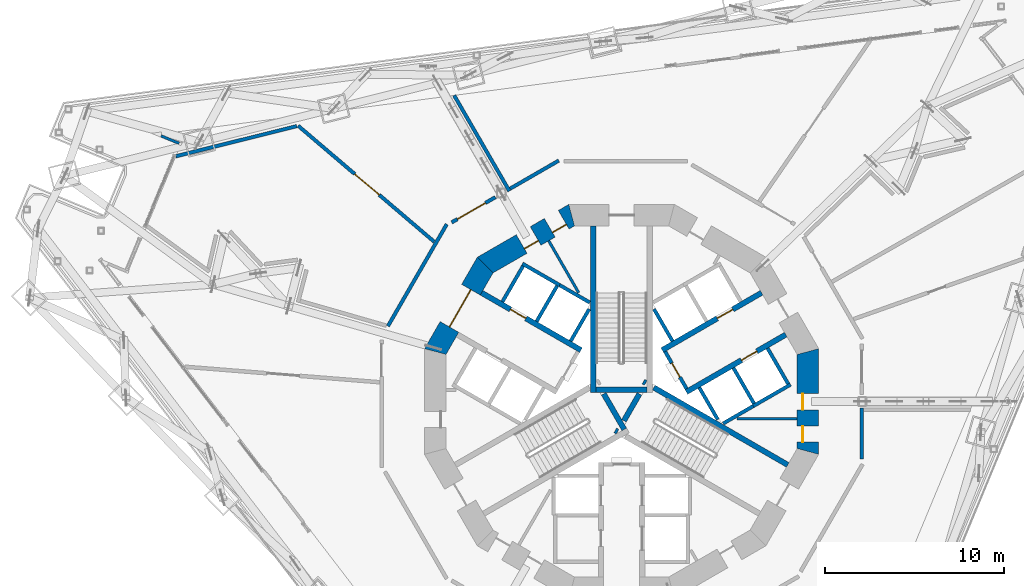
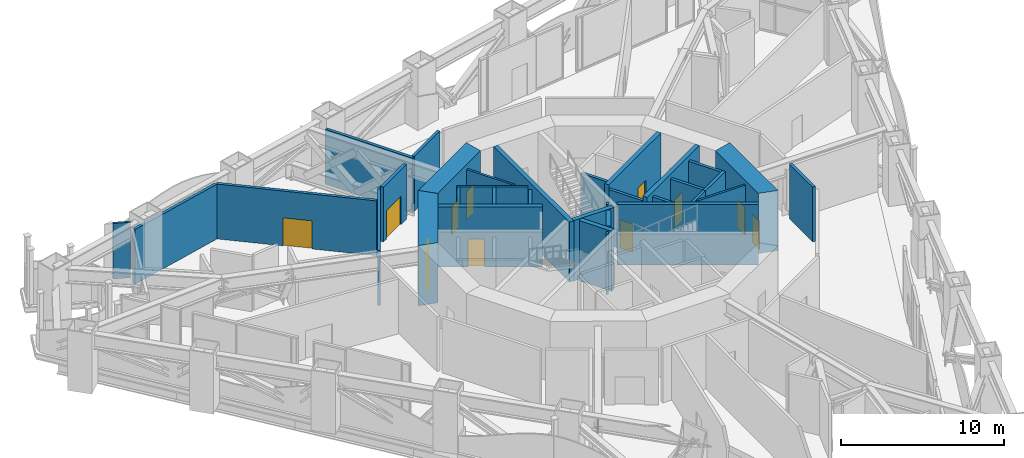
# One storey, part 19 of 31: 35 walls, 11 doors, 11 openings.
"""IFC4 building model written with IfcOpenShell, lengths in metres."""

from ifc_helpers import new_model, si_unit, direction, frame, frame_2d, origin, place, context, subcontext, project, spatial, polyline, rectangle, outline, extrude, material, layer, layer_set, type_object, element, fill, save


model = new_model("IFC4")

# Units and contexts
model_context = context("Model", 3, precision=1e-05, world=origin(), true_north=direction((0.0, 1.0)))
body_context = subcontext(model_context, "Body", "Model", "MODEL_VIEW")
ifc_project = project(units=[si_unit("LENGTHUNIT", "METRE"), si_unit("AREAUNIT", "SQUARE_METRE"), si_unit("VOLUMEUNIT", "CUBIC_METRE"), si_unit("PLANEANGLEUNIT", "RADIAN"), si_unit("MASSUNIT", "GRAM", prefix="KILO")], contexts=[model_context])

# Site, building, storey
site_placement = place(None, origin())
site = spatial("IfcSite", under=ifc_project, at=site_placement, CompositionType="ELEMENT")
building_placement = place(site_placement, origin())
building = spatial("IfcBuilding", under=site, at=building_placement, Name="Trine Commons Tower", CompositionType="ELEMENT")
storey_placement = place(building_placement, frame((0.0, 0.0, 82.800048828125)))
storey = spatial("IfcBuildingStorey", under=building, at=storey_placement, Name="L20", CompositionType="ELEMENT", Elevation=82.800048828125)

# Walls
ifc_material_1 = material(Name="Plasterboard partition on steel studs", Category="steel")
ifc_layer_1 = layer(ifc_material_1, 0.14990234375)
ifc_layer_set_1 = layer_set([ifc_layer_1], Name="Plasterboard partition on steel studs")
wall_type_1 = type_object("IfcWallType", Name="Core room partition 150 mm, EI 60", PredefinedType="PARTITIONING", material=ifc_layer_set_1)
wall_1_placement = place(storey_placement, frame((75.928955078125, 71.47900390625, 0.0), z_axis=(0.0, 0.0, 1.0), x_axis=(0.499985139611, -0.866033983264, 0.0)))
element("IfcWall", 1, at=wall_1_placement, inside=storey, type_object=wall_type_1, Name="Core room partition L20", PredefinedType="PARTITIONING", context=body_context, shape_type="SweptSolid", body=[
    extrude(rectangle(XDim=3.35205078125, YDim=0.14990234375, at=frame_2d((1.676025390625, 0.0))), origin(), (0.0, 0.0, 1.0), 4.14990234375),
])
wall_2_placement = place(storey_placement, frame((89.81201171875, 61.537109375, 0.0), z_axis=(0.0, 0.0, 1.0), x_axis=(-1.0, 0.0, 0.0)))
element("IfcWall", 2, at=wall_2_placement, inside=storey, type_object=wall_type_1, Name="Core room partition L20", PredefinedType="PARTITIONING", context=body_context, shape_type="SweptSolid", body=[
    extrude(rectangle(XDim=3.35107421875, YDim=0.14990234375, at=frame_2d((1.675537109375, 0.0))), origin(), (0.0, 0.0, 1.0), 4.14990234375),
])
ifc_material_2 = material(Name="Plasterboard on steel stud", Category="steel")
ifc_layer_2 = layer(ifc_material_2, 0.199951171875)
ifc_layer_set_2 = layer_set([ifc_layer_2], Name="Plasterboard on steel stud")
wall_type_2 = type_object("IfcWallType", Name="Fire wall 200 mm, EI 120", PredefinedType="PARTITIONING", material=ifc_layer_set_2)
wall_3_placement = place(storey_placement, frame((55.095947265625, 76.200927734375, 0.0), z_axis=(0.0, 0.0, 1.0), x_axis=(0.970294973208, 0.241924915969, 0.0)))
element("IfcWall", 3, at=wall_3_placement, inside=storey, type_object=wall_type_2, Name="Partition M20002", PredefinedType="PARTITIONING", context=body_context, shape_type="SweptSolid", body=[
    extrude(rectangle(XDim=6.961181640625, YDim=0.199951171875, at=frame_2d((3.48046875, 0.0))), origin(), (0.0, 0.0, 1.0), 4.099853515625),
])

# Wall, opening, door
wall_4_placement = place(storey_placement, frame((61.93017578125, 77.905029296875, 0.0), z_axis=(0.0, 0.0, 1.0), x_axis=(0.760989766885, -0.648763882083, 0.0)))
wall_4 = element("IfcWall", 4, at=wall_4_placement, inside=storey, type_object=wall_type_2, Name="Partition M20007", PredefinedType="PARTITIONING", context=body_context, shape_type="SweptSolid", body=[
    extrude(rectangle(XDim=9.987548828125, YDim=0.199951171875, at=frame_2d((4.99365234375, 0.0))), origin(), (0.0, 0.0, 1.0), 4.099853515625),
])
opening_1_placement = place(wall_4_placement, frame((4.153564453125, 0.0, 0.0)))
opening_1 = element("IfcOpeningElement", 5, at=opening_1_placement, cuts=wall_4, Name="Opening D-M2002", PredefinedType="OPENING", context=body_context, shape_type="SweptSolid", body=[
    extrude(rectangle(XDim=1.800048828125, YDim=2.10009765625, at=frame_2d((0.89990234375, 1.050048828125))), frame((0.0, 0.10986328125, 0.0), z_axis=(0.0, -1.0, 0.0), x_axis=(1.0, 0.0, 0.0)), (0.0, 0.0, 1.0), 0.219970703125),
])
ifc_material_3 = material(Name="Timber fire door set", Category="wood")
door_type_1 = type_object("IfcDoorType", Name="Double swing door 1800x2100, FD60", OperationType="DOUBLE_DOOR_DOUBLE_SWING", PredefinedType="DOOR", material=ifc_material_3)
door_1_placement = place(opening_1_placement, origin())
door_1 = element("IfcDoor", 6, at=door_1_placement, inside=storey, type_object=door_type_1, Name="Door D-M2002", OperationType="DOUBLE_DOOR_DOUBLE_SWING", OverallHeight=2.10009765625, OverallWidth=1.800048828125, PredefinedType="DOOR", context=body_context, shape_type="SweptSolid", body=[
    extrude(rectangle(XDim=1.800048828125, YDim=2.10009765625, at=frame_2d((0.89990234375, 1.050048828125))), frame((0.0, 0.02490234375, 0.0), z_axis=(0.0, -1.0, 0.0), x_axis=(1.0, 0.0, 0.0)), (0.0, 0.0, 1.0), 0.050048828125),
])
fill(opening_1, door_1)

# Wall
wall_5_placement = place(storey_placement, frame((66.945068359375, 66.71142578125, 0.0), z_axis=(0.0, 0.0, 1.0), x_axis=(0.500021421018, 0.866013036001, 0.0)))
element("IfcWall", 7, at=wall_5_placement, inside=storey, type_object=wall_type_2, Name="Partition M20012", PredefinedType="PARTITIONING", context=body_context, shape_type="SweptSolid", body=[
    extrude(rectangle(XDim=6.573974609375, YDim=0.199951171875, at=frame_2d((3.287109375, 0.0))), origin(), (0.0, 0.0, 1.0), 4.099853515625),
])

# Wall, opening, door
wall_6_placement = place(storey_placement, frame((72.94775390625, 73.914794921875, 0.0), z_axis=(0.0, 0.0, 1.0), x_axis=(-0.86601836006, -0.500012199891, 0.0)))
wall_6 = element("IfcWall", 8, at=wall_6_placement, inside=storey, type_object=wall_type_2, Name="Partition M20015", PredefinedType="PARTITIONING", context=body_context, shape_type="SweptSolid", body=[
    extrude(rectangle(XDim=2.8203125, YDim=0.199951171875, at=frame_2d((1.41015625, 0.0))), origin(), (0.0, 0.0, 1.0), 4.099853515625),
])
opening_2_placement = place(wall_6_placement, frame((0.646728515625, 0.0, 0.0)))
opening_2 = element("IfcOpeningElement", 9, at=opening_2_placement, cuts=wall_6, Name="Opening D-M2004", PredefinedType="OPENING", context=body_context, shape_type="SweptSolid", body=[
    extrude(rectangle(XDim=1.800048828125, YDim=2.10009765625, at=frame_2d((0.89990234375, 1.050048828125))), frame((0.0, 0.10986328125, 0.0), z_axis=(0.0, -1.0, 0.0), x_axis=(1.0, 0.0, 0.0)), (0.0, 0.0, 1.0), 0.219970703125),
])
door_2_placement = place(opening_2_placement, origin())
door_2 = element("IfcDoor", 10, at=door_2_placement, inside=storey, type_object=door_type_1, Name="Door D-M2004", OperationType="DOUBLE_DOOR_DOUBLE_SWING", OverallHeight=2.10009765625, OverallWidth=1.800048828125, PredefinedType="DOOR", context=body_context, shape_type="SweptSolid", body=[
    extrude(rectangle(XDim=1.800048828125, YDim=2.10009765625, at=frame_2d((0.89990234375, 1.050048828125))), frame((0.0, 0.02490234375, 0.0), z_axis=(0.0, -1.0, 0.0), x_axis=(1.0, 0.0, 0.0)), (0.0, 0.0, 1.0), 0.050048828125),
])
fill(opening_2, door_2)

# Walls
wall_7_placement = place(storey_placement, frame((70.646728515625, 79.600341796875, 0.0), z_axis=(0.0, 0.0, 1.0), x_axis=(0.49999750385, -0.866026844933, 0.0)))
element("IfcWall", 11, at=wall_7_placement, inside=storey, type_object=wall_type_2, Name="Partition M20016", PredefinedType="PARTITIONING", context=body_context, shape_type="SweptSolid", body=[
    extrude(rectangle(XDim=6.17236328125, YDim=0.199951171875, at=frame_2d((3.086181640625, 0.0))), origin(), (0.0, 0.0, 1.0), 4.099853515625),
])
wall_8_placement = place(storey_placement, frame((73.774658203125, 74.39208984375, 0.0), z_axis=(0.0, 0.0, 1.0), x_axis=(0.865999061677, 0.500045623093, 0.0)))
element("IfcWall", 12, at=wall_8_placement, inside=storey, type_object=wall_type_2, Name="Partition M20018", PredefinedType="PARTITIONING", context=body_context, shape_type="SweptSolid", body=[
    extrude(rectangle(XDim=3.138916015625, YDim=0.199951171875, at=frame_2d((1.5693359375, 0.0))), origin(), (0.0, 0.0, 1.0), 4.099853515625),
])
wall_9_placement = place(storey_placement, frame((93.41162109375, 59.279541015625, 0.0), z_axis=(0.0, 0.0, 1.0), x_axis=(0.0, 1.0, 0.0)))
element("IfcWall", 13, at=wall_9_placement, inside=storey, type_object=wall_type_2, Name="Partition M20044", PredefinedType="PARTITIONING", context=body_context, shape_type="SweptSolid", body=[
    extrude(rectangle(XDim=2.87060546875, YDim=0.199951171875, at=frame_2d((1.435302734375, 0.0))), origin(), (0.0, 0.0, 1.0), 4.099853515625),
])
ifc_material_4 = material(Name="Aluminium-framed insulated wall panel", Category="aluminium")
ifc_layer_3 = layer(ifc_material_4, 0.14990234375)
ifc_layer_set_3 = layer_set([ifc_layer_3], Name="Aluminium-framed insulated wall panel")
wall_type_3 = type_object("IfcWallType", Name="Glazed frame wall 150, EI 60", PredefinedType="SOLIDWALL", material=ifc_layer_set_3)
wall_10_placement = place(storey_placement, frame((55.376220703125, 76.883056640625, 0.0), z_axis=(0.0, 0.0, 1.0), x_axis=(-0.923901801611, 0.382629665579, 0.0)))
element("IfcWall", 14, at=wall_10_placement, inside=storey, type_object=wall_type_3, Name="Glazed frame wall L20 R3", PredefinedType="SOLIDWALL", context=body_context, shape_type="SweptSolid", body=[
    extrude(outline(polyline([(0.110107421875, 0.074951171875), (0.110107421875, -0.074951171875), (1.19580078125, -0.074951171875), (1.19580078125, 0.074951171875), (0.110107421875, 0.074951171875)])), origin(), (0.0, 0.0, 1.0), 4.14990234375),
])

# Wall, opening, door
ifc_material_5 = material(Name="Fire-rated gypsum shaft wall system")
ifc_layer_4 = layer(ifc_material_5, 0.199951171875)
ifc_layer_set_4 = layer_set([ifc_layer_4], Name="Fire-rated gypsum shaft wall system")
wall_type_4 = type_object("IfcWallType", Name="Lobby end wall 200 mm, EI 120", PredefinedType="PARTITIONING", material=ifc_layer_set_4)
wall_11_placement = place(storey_placement, frame((83.631103515625, 63.2109375, 0.0), z_axis=(0.0, 0.0, 1.0), x_axis=(-0.50012165622, 0.865955154139, 0.0)))
wall_11 = element("IfcWall", 15, at=wall_11_placement, inside=storey, type_object=wall_type_4, Name="Lobby end wall L20", PredefinedType="PARTITIONING", context=body_context, shape_type="SweptSolid", body=[
    extrude(rectangle(XDim=2.39990234375, YDim=0.199951171875, at=frame_2d((1.199951171875, 0.0))), origin(), (0.0, 0.0, 1.0), 4.14990234375),
])
opening_3_placement = place(wall_11_placement, frame((0.749755859375, 0.0, 0.0)))
opening_3 = element("IfcOpeningElement", 16, at=opening_3_placement, cuts=wall_11, Name="Opening K08.05", PredefinedType="OPENING", context=body_context, shape_type="SweptSolid", body=[
    extrude(rectangle(XDim=0.89990234375, YDim=2.10009765625, at=frame_2d((0.449951171875, 1.050048828125))), frame((0.0, 0.10986328125, 0.0), z_axis=(0.0, -1.0, 0.0), x_axis=(1.0, 0.0, 0.0)), (0.0, 0.0, 1.0), 0.219970703125),
])
ifc_material_6 = material(Name="Steel door leaf, fire-rated", Category="steel")
door_type_2 = type_object("IfcDoorType", Name="Riser access door, single leaf 900 x 2100, FD60", OperationType="SINGLE_SWING_LEFT", PredefinedType="DOOR", material=ifc_material_6)
door_3_placement = place(opening_3_placement, frame((0.89990234375, 0.0, 0.0), z_axis=(0.0, 0.0, 1.0), x_axis=(-1.0, 0.0, 0.0)))
door_3 = element("IfcDoor", 17, at=door_3_placement, inside=storey, type_object=door_type_2, Name="Riser door, Electrical riser L20", OperationType="SINGLE_SWING_LEFT", OverallHeight=2.10009765625, OverallWidth=0.89990234375, PredefinedType="DOOR", context=body_context, shape_type="SweptSolid", body=[
    extrude(rectangle(XDim=0.89990234375, YDim=2.10009765625, at=frame_2d((0.449951171875, 1.050048828125))), frame((0.0, 0.02490234375, 0.0), z_axis=(0.0, -1.0, 0.0), x_axis=(1.0, 0.0, 0.0)), (0.0, 0.0, 1.0), 0.050048828125),
])
fill(opening_3, door_3)

# Wall, openings, doors
ifc_material_7 = material(Name="Concrete C70/85", Category="concrete")
ifc_layer_5 = layer(ifc_material_7, 1.199951171875)
ifc_layer_set_5 = layer_set([ifc_layer_5], Name="Concrete C70/85")
wall_type_5 = type_object("IfcWallType", Name="RC shear wall 1200 mm, C70/85", PredefinedType="SHEAR", material=ifc_layer_set_5)
wall_12_placement = place(storey_placement, frame((90.41162109375, 59.549560546875, 0.0), z_axis=(0.0, 0.0, 1.0), x_axis=(0.0, 1.0, 0.0)))
wall_12 = element("IfcWall", 18, at=wall_12_placement, inside=storey, type_object=wall_type_5, Name="Core wall CWC-01 L20", PredefinedType="SHEAR", context=body_context, shape_type="SweptSolid", body=[
    extrude(outline(polyline([(0.0, -0.60009765625), (5.90087890625, -0.60009765625), (5.57958984375, 0.60009765625), (0.321533203125, 0.60009765625), (0.0, -0.60009765625)])), origin(), (0.0, 0.0, 1.0), 4.5),
])
opening_4_placement = place(wall_12_placement, frame((0.675537109375, 0.0, 0.0)))
opening_4 = element("IfcOpeningElement", 19, at=opening_4_placement, cuts=wall_12, Name="Opening K08.18", PredefinedType="OPENING", context=body_context, shape_type="SweptSolid", body=[
    extrude(rectangle(XDim=0.89990234375, YDim=2.10009765625, at=frame_2d((0.449951171875, 1.050048828125))), frame((0.0, 0.60986328125, 0.0), z_axis=(0.0, -1.0, 0.0), x_axis=(1.0, 0.0, 0.0)), (0.0, 0.0, 1.0), 1.219970703125),
])
opening_5_placement = place(wall_12_placement, frame((2.487548828125, 0.0, 0.0)))
opening_5 = element("IfcOpeningElement", 20, at=opening_5_placement, cuts=wall_12, Name="Opening K08.19", PredefinedType="OPENING", context=body_context, shape_type="SweptSolid", body=[
    extrude(rectangle(XDim=0.89990234375, YDim=2.10009765625, at=frame_2d((0.449951171875, 1.050048828125))), frame((0.0, 0.60986328125, 0.0), z_axis=(0.0, -1.0, 0.0), x_axis=(1.0, 0.0, 0.0)), (0.0, 0.0, 1.0), 1.219970703125),
])
door_type_3 = type_object("IfcDoorType", Name="Core room door, single leaf 900 x 2100, FD30S", OperationType="SINGLE_SWING_LEFT", PredefinedType="DOOR", material=ifc_material_6)
door_4_placement = place(opening_4_placement, origin())
door_4 = element("IfcDoor", 21, at=door_4_placement, inside=storey, type_object=door_type_3, Name="Door to Store L20", OperationType="SINGLE_SWING_LEFT", OverallHeight=2.10009765625, OverallWidth=0.89990234375, PredefinedType="DOOR", context=body_context, shape_type="SweptSolid", body=[
    extrude(rectangle(XDim=0.89990234375, YDim=2.10009765625, at=frame_2d((0.449951171875, 1.050048828125))), frame((0.0, 0.3251953125, 0.0), z_axis=(0.0, -1.0, 0.0), x_axis=(1.0, 0.0, 0.0)), (0.0, 0.0, 1.0), 0.050048828125),
])
fill(opening_4, door_4)
door_5_placement = place(opening_5_placement, origin())
door_5 = element("IfcDoor", 22, at=door_5_placement, inside=storey, type_object=door_type_3, Name="Door to Pump room L20", OperationType="SINGLE_SWING_LEFT", OverallHeight=2.10009765625, OverallWidth=0.89990234375, PredefinedType="DOOR", context=body_context, shape_type="SweptSolid", body=[
    extrude(rectangle(XDim=0.89990234375, YDim=2.10009765625, at=frame_2d((0.449951171875, 1.050048828125))), frame((0.0, 0.3251953125, 0.0), z_axis=(0.0, -1.0, 0.0), x_axis=(1.0, 0.0, 0.0)), (0.0, 0.0, 1.0), 0.050048828125),
])
fill(opening_5, door_5)

wall_13_placement = place(storey_placement, frame((77.349609375, 72.991943359375, 0.0), z_axis=(0.0, 0.0, 1.0), x_axis=(-0.866037463336, -0.499979111662, 0.0)))
wall_13 = element("IfcWall", 23, at=wall_13_placement, inside=storey, type_object=wall_type_5, Name="Core wall CWC-05 L20", PredefinedType="SHEAR", context=body_context, shape_type="SweptSolid", body=[
    extrude(outline(polyline([(0.0, -0.60009765625), (5.901123046875, -0.60009765625), (5.57958984375, 0.60009765625), (0.321533203125, 0.60009765625), (0.0, -0.60009765625)])), origin(), (0.0, 0.0, 1.0), 4.5),
])
opening_6_placement = place(wall_13_placement, frame((0.6748046875, 0.0, 0.0)))
opening_6 = element("IfcOpeningElement", 24, at=opening_6_placement, cuts=wall_13, Name="Opening K08.12", PredefinedType="OPENING", context=body_context, shape_type="SweptSolid", body=[
    extrude(rectangle(XDim=0.89990234375, YDim=2.10009765625, at=frame_2d((0.449951171875, 1.050048828125))), frame((0.0, 0.60986328125, 0.0), z_axis=(0.0, -1.0, 0.0), x_axis=(1.0, 0.0, 0.0)), (0.0, 0.0, 1.0), 1.219970703125),
])
opening_7_placement = place(wall_13_placement, frame((2.48681640625, 0.0, 0.0)))
opening_7 = element("IfcOpeningElement", 25, at=opening_7_placement, cuts=wall_13, Name="Opening K08.13", PredefinedType="OPENING", context=body_context, shape_type="SweptSolid", body=[
    extrude(rectangle(XDim=0.89990234375, YDim=2.10009765625, at=frame_2d((0.449951171875, 1.050048828125))), frame((0.0, 0.60986328125, 0.0), z_axis=(0.0, -1.0, 0.0), x_axis=(1.0, 0.0, 0.0)), (0.0, 0.0, 1.0), 1.219970703125),
])
door_6_placement = place(opening_6_placement, origin())
door_6 = element("IfcDoor", 26, at=door_6_placement, inside=storey, type_object=door_type_3, Name="Door to Comms room L20", OperationType="SINGLE_SWING_LEFT", OverallHeight=2.10009765625, OverallWidth=0.89990234375, PredefinedType="DOOR", context=body_context, shape_type="SweptSolid", body=[
    extrude(rectangle(XDim=0.89990234375, YDim=2.10009765625, at=frame_2d((0.449951171875, 1.050048828125))), frame((0.0, 0.3251953125, 0.0), z_axis=(0.0, -1.0, 0.0), x_axis=(1.0, 0.0, 0.0)), (0.0, 0.0, 1.0), 0.050048828125),
])
fill(opening_6, door_6)
door_7_placement = place(opening_7_placement, origin())
door_7 = element("IfcDoor", 27, at=door_7_placement, inside=storey, type_object=door_type_3, Name="Door to Store L20", OperationType="SINGLE_SWING_LEFT", OverallHeight=2.10009765625, OverallWidth=0.89990234375, PredefinedType="DOOR", context=body_context, shape_type="SweptSolid", body=[
    extrude(rectangle(XDim=0.89990234375, YDim=2.10009765625, at=frame_2d((0.449951171875, 1.050048828125))), frame((0.0, 0.3251953125, 0.0), z_axis=(0.0, -1.0, 0.0), x_axis=(1.0, 0.0, 0.0)), (0.0, 0.0, 1.0), 0.050048828125),
])
fill(opening_7, door_7)

# Wall, opening, door
wall_14_placement = place(storey_placement, frame((72.45849609375, 70.260986328125, 0.0), z_axis=(0.0, 0.0, 1.0), x_axis=(-0.499979111662, -0.866037463336, 0.0)))
wall_14 = element("IfcWall", 28, at=wall_14_placement, inside=storey, type_object=wall_type_5, Name="Core wall CWC-06 L20", PredefinedType="SHEAR", context=body_context, shape_type="SweptSolid", body=[
    extrude(outline(polyline([(0.0, -0.60009765625), (5.901123046875, -0.60009765625), (5.57958984375, 0.60009765625), (0.321533203125, 0.60009765625), (0.0, -0.60009765625)])), origin(), (0.0, 0.0, 1.0), 4.5),
])
opening_8_placement = place(wall_14_placement, frame((1.75048828125, 0.0, 0.0)))
opening_8 = element("IfcOpeningElement", 29, at=opening_8_placement, cuts=wall_14, Name="Opening K08.06", PredefinedType="OPENING", context=body_context, shape_type="SweptSolid", body=[
    extrude(rectangle(XDim=2.39990234375, YDim=2.10009765625, at=frame_2d((1.199951171875, 1.050048828125))), frame((0.0, 0.60986328125, 0.0), z_axis=(0.0, -1.0, 0.0), x_axis=(1.0, 0.0, 0.0)), (0.0, 0.0, 1.0), 1.219970703125),
])
ifc_material_8 = material(Name="Steel door leaves, fire-rated", Category="steel")
door_type_4 = type_object("IfcDoorType", Name="Lobby door, double leaf 2400 x 2100, FD60", OperationType="DOUBLE_DOOR_SINGLE_SWING", PredefinedType="DOOR", material=ifc_material_8)
door_8_placement = place(opening_8_placement, origin())
door_8 = element("IfcDoor", 30, at=door_8_placement, inside=storey, type_object=door_type_4, Name="Lobby door, Passenger lift lobby B L20", OperationType="DOUBLE_DOOR_SINGLE_SWING", OverallHeight=2.10009765625, OverallWidth=2.39990234375, PredefinedType="DOOR", context=body_context, shape_type="SweptSolid", body=[
    extrude(rectangle(XDim=2.39990234375, YDim=2.10009765625, at=frame_2d((1.199951171875, 1.050048828125))), frame((0.0, 0.02490234375, 0.0), z_axis=(0.0, -1.0, 0.0), x_axis=(1.0, 0.0, 0.0)), (0.0, 0.0, 1.0), 0.050048828125),
])
fill(opening_8, door_8)

ifc_layer_6 = layer(ifc_material_7, 0.300048828125)
ifc_layer_set_6 = layer_set([ifc_layer_6], Name="Concrete C70/85")
wall_type_6 = type_object("IfcWallType", Name="RC shear wall 300 mm, C70/85", PredefinedType="SHEAR", material=ifc_layer_set_6)
wall_15_placement = place(storey_placement, frame((77.73095703125, 65.368896484375, 0.0), z_axis=(0.0, 0.0, 1.0), x_axis=(-0.866022631842, 0.500004801114, 0.0)))
wall_15 = element("IfcWall", 31, at=wall_15_placement, inside=storey, type_object=wall_type_6, Name="Core cross wall SWA-02 L20", PredefinedType="SHEAR", context=body_context, shape_type="SweptSolid", body=[
    extrude(rectangle(XDim=6.412109375, YDim=0.300048828125, at=frame_2d((3.2060546875, 0.0))), origin(), (0.0, 0.0, 1.0), 4.5),
])
opening_9_placement = place(wall_15_placement, frame((3.55029296875, 0.0, 0.0)))
opening_9 = element("IfcOpeningElement", 32, at=opening_9_placement, cuts=wall_15, Name="Opening LD4", PredefinedType="OPENING", context=body_context, shape_type="SweptSolid", body=[
    extrude(rectangle(XDim=1.0, YDim=2.10009765625, at=frame_2d((0.5, 1.050048828125))), frame((0.0, 0.159912109375, 0.0), z_axis=(0.0, -1.0, 0.0), x_axis=(1.0, 0.0, 0.0)), (0.0, 0.0, 1.0), 0.320068359375),
])
ifc_material_9 = material(Name="Stainless steel sliding door leaves", Category="steel")
door_type_5 = type_object("IfcDoorType", Name="Lift landing door, centre-opening sliding 1000 x 2100, FD90", OperationType="DOUBLE_DOOR_SLIDING", PredefinedType="DOOR", material=ifc_material_9)
door_9_placement = place(opening_9_placement, origin())
door_9 = element("IfcDoor", 33, at=door_9_placement, inside=storey, type_object=door_type_5, Name="Lift landing door LR4 L20", OperationType="DOUBLE_DOOR_SLIDING", OverallHeight=2.10009765625, OverallWidth=1.0, PredefinedType="DOOR", context=body_context, shape_type="SweptSolid", body=[
    extrude(rectangle(XDim=1.0, YDim=2.10009765625, at=frame_2d((0.5, 1.050048828125))), frame((0.0, 0.02490234375, 0.0), z_axis=(0.0, -1.0, 0.0), x_axis=(1.0, 0.0, 0.0)), (0.0, 0.0, 1.0), 0.050048828125),
])
fill(opening_9, door_9)

wall_16_placement = place(storey_placement, frame((82.26904296875, 65.368896484375, 0.0), z_axis=(0.0, 0.0, 1.0), x_axis=(0.866022631842, 0.500004801114, 0.0)))
wall_16 = element("IfcWall", 34, at=wall_16_placement, inside=storey, type_object=wall_type_6, Name="Core cross wall SWA-05 L20", PredefinedType="SHEAR", context=body_context, shape_type="SweptSolid", body=[
    extrude(rectangle(XDim=6.412109375, YDim=0.300048828125, at=frame_2d((3.2060546875, 0.0))), origin(), (0.0, 0.0, 1.0), 4.5),
])
opening_10_placement = place(wall_16_placement, frame((3.55029296875, 0.0, 0.0)))
opening_10 = element("IfcOpeningElement", 35, at=opening_10_placement, cuts=wall_16, Name="Opening LD1", PredefinedType="OPENING", context=body_context, shape_type="SweptSolid", body=[
    extrude(rectangle(XDim=1.0, YDim=2.10009765625, at=frame_2d((0.5, 1.050048828125))), frame((0.0, 0.159912109375, 0.0), z_axis=(0.0, -1.0, 0.0), x_axis=(1.0, 0.0, 0.0)), (0.0, 0.0, 1.0), 0.320068359375),
])
door_10_placement = place(opening_10_placement, origin())
door_10 = element("IfcDoor", 36, at=door_10_placement, inside=storey, type_object=door_type_5, Name="Lift landing door LR1 L20", OperationType="DOUBLE_DOOR_SLIDING", OverallHeight=2.10009765625, OverallWidth=1.0, PredefinedType="DOOR", context=body_context, shape_type="SweptSolid", body=[
    extrude(rectangle(XDim=1.0, YDim=2.10009765625, at=frame_2d((0.5, 1.050048828125))), frame((0.0, 0.02490234375, 0.0), z_axis=(0.0, -1.0, 0.0), x_axis=(1.0, 0.0, 0.0)), (0.0, 0.0, 1.0), 0.050048828125),
])
fill(opening_10, door_10)

wall_17_placement = place(storey_placement, frame((83.618896484375, 63.031005859375, 0.0), z_axis=(0.0, 0.0, 1.0), x_axis=(0.866032150378, 0.499988314375, 0.0)))
wall_17 = element("IfcWall", 37, at=wall_17_placement, inside=storey, type_object=wall_type_6, Name="Core cross wall SWA-06 L20", PredefinedType="SHEAR", context=body_context, shape_type="SweptSolid", body=[
    extrude(rectangle(XDim=6.412353515625, YDim=0.300048828125, at=frame_2d((3.2060546875, 0.0))), origin(), (0.0, 0.0, 1.0), 4.5),
])
opening_11_placement = place(wall_17_placement, frame((3.55029296875, 0.0, 0.0)))
opening_11 = element("IfcOpeningElement", 38, at=opening_11_placement, cuts=wall_17, Name="Opening LD2", PredefinedType="OPENING", context=body_context, shape_type="SweptSolid", body=[
    extrude(rectangle(XDim=1.0, YDim=2.10009765625, at=frame_2d((0.5, 1.050048828125))), frame((0.0, 0.159912109375, 0.0), z_axis=(0.0, -1.0, 0.0), x_axis=(1.0, 0.0, 0.0)), (0.0, 0.0, 1.0), 0.320068359375),
])
door_11_placement = place(opening_11_placement, origin())
door_11 = element("IfcDoor", 39, at=door_11_placement, inside=storey, type_object=door_type_5, Name="Lift landing door LR2 L20", OperationType="DOUBLE_DOOR_SLIDING", OverallHeight=2.10009765625, OverallWidth=1.0, PredefinedType="DOOR", context=body_context, shape_type="SweptSolid", body=[
    extrude(rectangle(XDim=1.0, YDim=2.10009765625, at=frame_2d((0.5, 1.050048828125))), frame((0.0, 0.02490234375, 0.0), z_axis=(0.0, -1.0, 0.0), x_axis=(1.0, 0.0, 0.0)), (0.0, 0.0, 1.0), 0.050048828125),
])
fill(opening_11, door_11)

# Walls
wall_18_placement = place(storey_placement, frame((78.425048828125, 63.0009765625, 0.0), z_axis=(0.0, 0.0, 1.0), x_axis=(0.0, 1.0, 0.0)))
element("IfcWall", 40, at=wall_18_placement, inside=storey, type_object=wall_type_6, Name="Core cross wall SWA-08 L20", PredefinedType="SHEAR", context=body_context, shape_type="SweptSolid", body=[
    extrude(rectangle(XDim=9.31103515625, YDim=0.300048828125, at=frame_2d((4.655517578125, 0.0))), origin(), (0.0, 0.0, 1.0), 4.5),
])
wall_19_placement = place(storey_placement, frame((79.0029296875, 62.926025390625, 0.0), z_axis=(0.0, 0.0, 1.0), x_axis=(0.499965247104, -0.866045467449, 0.0)))
element("IfcWall", 41, at=wall_19_placement, inside=storey, type_object=wall_type_6, Name="Core cross wall SWA-10 L20", PredefinedType="SHEAR", context=body_context, shape_type="SweptSolid", body=[
    extrude(rectangle(XDim=2.292236328125, YDim=0.300048828125, at=frame_2d((1.14599609375, 0.0))), origin(), (0.0, 0.0, 1.0), 4.5),
])
wall_20_placement = place(storey_placement, frame((79.64599609375, 60.885986328125, 0.0), z_axis=(0.0, 0.0, 1.0), x_axis=(0.867331893649, -0.497730234424, 0.0)))
element("IfcWall", 42, at=wall_20_placement, inside=storey, type_object=wall_type_6, Name="Core cross wall SWA-11 L20", PredefinedType="SHEAR", context=body_context, shape_type="SweptSolid", body=[
    extrude(rectangle(XDim=0.148681640625, YDim=0.300048828125, at=frame_2d((0.07421875, 0.0))), origin(), (0.0, 0.0, 1.0), 4.5),
])
wall_21_placement = place(storey_placement, frame((80.1298828125, 61.424072265625, 0.0), z_axis=(0.0, 0.0, 1.0), x_axis=(0.500014901547, 0.866016800201, 0.0)))
element("IfcWall", 43, at=wall_21_placement, inside=storey, type_object=wall_type_6, Name="Core cross wall SWA-12 L20", PredefinedType="SHEAR", context=body_context, shape_type="SweptSolid", body=[
    extrude(rectangle(XDim=1.734375, YDim=0.300048828125, at=frame_2d((0.8671875, 0.0))), origin(), (0.0, 0.0, 1.0), 4.5),
])
wall_22_placement = place(storey_placement, frame((81.220947265625, 63.614013671875, 0.0), z_axis=(0.0, 0.0, 1.0), x_axis=(0.867737973955, -0.497021939713, 0.0)))
element("IfcWall", 44, at=wall_22_placement, inside=storey, type_object=wall_type_6, Name="Core cross wall SWA-15 L20", PredefinedType="SHEAR", context=body_context, shape_type="SweptSolid", body=[
    extrude(rectangle(XDim=0.14892578125, YDim=0.300048828125, at=frame_2d((0.074462890625, 0.0))), origin(), (0.0, 0.0, 1.0), 4.5),
])
wall_23_placement = place(storey_placement, frame((81.425048828125, 63.15087890625, 0.0), z_axis=(0.0, 0.0, 1.0), x_axis=(-1.0, 0.0, 0.0)))
element("IfcWall", 45, at=wall_23_placement, inside=storey, type_object=wall_type_6, Name="Core cross wall SWA-16 L20", PredefinedType="SHEAR", context=body_context, shape_type="SweptSolid", body=[
    extrude(rectangle(XDim=2.85009765625, YDim=0.300048828125, at=frame_2d((1.425048828125, 0.0))), origin(), (0.0, 0.0, 1.0), 4.5),
])
wall_24_placement = place(storey_placement, frame((81.800048828125, 63.280029296875, 0.0), z_axis=(0.0, 0.0, 1.0), x_axis=(0.865965399159, -0.500103916661, 0.0)))
element("IfcWall", 46, at=wall_24_placement, inside=storey, type_object=wall_type_6, Name="Core cross wall SWA-18 L20", PredefinedType="SHEAR", context=body_context, shape_type="SweptSolid", body=[
    extrude(rectangle(XDim=8.642333984375, YDim=0.300048828125, at=frame_2d((4.3212890625, 0.0))), origin(), (0.0, 0.0, 1.0), 4.5),
])
ifc_layer_7 = layer(ifc_material_5, 0.199951171875)
ifc_layer_set_7 = layer_set([ifc_layer_7], Name="Fire-rated gypsum shaft wall system")
wall_type_7 = type_object("IfcWallType", Name="Shaft wall 200 mm, EI 120", PredefinedType="PARTITIONING", material=ifc_layer_set_7)
wall_25_placement = place(storey_placement, frame((73.344970703125, 68.073974609375, 0.0), z_axis=(0.0, 0.0, 1.0), x_axis=(0.500215680983, 0.865900844496, 0.0)))
element("IfcWall", 47, at=wall_25_placement, inside=storey, type_object=wall_type_7, Name="Shaft wall L20", PredefinedType="PARTITIONING", context=body_context, shape_type="SweptSolid", body=[
    extrude(rectangle(XDim=2.29931640625, YDim=0.199951171875, at=frame_2d((1.149658203125, 0.0))), origin(), (0.0, 0.0, 1.0), 4.14990234375),
])
wall_26_placement = place(storey_placement, frame((75.2509765625, 66.97412109375, 0.0), z_axis=(0.0, 0.0, 1.0), x_axis=(0.500136062276, 0.86594683394, 0.0)))
element("IfcWall", 48, at=wall_26_placement, inside=storey, type_object=wall_type_7, Name="Shaft wall L20", PredefinedType="PARTITIONING", context=body_context, shape_type="SweptSolid", body=[
    extrude(rectangle(XDim=2.299072265625, YDim=0.199951171875, at=frame_2d((1.1494140625, 0.0))), origin(), (0.0, 0.0, 1.0), 4.14990234375),
])
wall_27_placement = place(storey_placement, frame((76.5380859375, 69.001953125, 0.0), z_axis=(0.0, 0.0, 1.0), x_axis=(-0.866202511239, 0.499693115345, 0.0)))
element("IfcWall", 49, at=wall_27_placement, inside=storey, type_object=wall_type_7, Name="Shaft wall L20", PredefinedType="PARTITIONING", context=body_context, shape_type="SweptSolid", body=[
    extrude(rectangle(XDim=2.4013671875, YDim=0.199951171875, at=frame_2d((1.20068359375, 0.0))), origin(), (0.0, 0.0, 1.0), 4.14990234375),
])
wall_28_placement = place(storey_placement, frame((77.156005859375, 65.8740234375, 0.0), z_axis=(0.0, 0.0, 1.0), x_axis=(0.499865770674, 0.866102887253, 0.0)))
element("IfcWall", 50, at=wall_28_placement, inside=storey, type_object=wall_type_7, Name="Shaft wall L20", PredefinedType="PARTITIONING", context=body_context, shape_type="SweptSolid", body=[
    extrude(rectangle(XDim=2.064453125, YDim=0.199951171875, at=frame_2d((1.0322265625, 0.0))), origin(), (0.0, 0.0, 1.0), 4.14990234375),
])
wall_29_placement = place(storey_placement, frame((78.22509765625, 68.028076171875, 0.0), z_axis=(0.0, 0.0, 1.0), x_axis=(-0.866052014814, 0.499953905513, 0.0)))
element("IfcWall", 51, at=wall_29_placement, inside=storey, type_object=wall_type_7, Name="Shaft wall L20", PredefinedType="PARTITIONING", context=body_context, shape_type="SweptSolid", body=[
    extrude(rectangle(XDim=1.947998046875, YDim=0.199951171875, at=frame_2d((0.97412109375, 0.0))), origin(), (0.0, 0.0, 1.0), 4.14990234375),
])
wall_30_placement = place(storey_placement, frame((82.843994140625, 65.8740234375, 0.0), z_axis=(0.0, 0.0, 1.0), x_axis=(-0.499865770674, 0.866102887253, 0.0)))
element("IfcWall", 52, at=wall_30_placement, inside=storey, type_object=wall_type_7, Name="Shaft wall L20", PredefinedType="PARTITIONING", context=body_context, shape_type="SweptSolid", body=[
    extrude(rectangle(XDim=2.064453125, YDim=0.199951171875, at=frame_2d((1.0322265625, 0.0))), origin(), (0.0, 0.0, 1.0), 4.14990234375),
])
wall_31_placement = place(storey_placement, frame((84.343994140625, 63.27587890625, 0.0), z_axis=(0.0, 0.0, 1.0), x_axis=(0.500271688072, -0.86586848777, 0.0)))
element("IfcWall", 53, at=wall_31_placement, inside=storey, type_object=wall_type_7, Name="Shaft wall L20", PredefinedType="PARTITIONING", context=body_context, shape_type="SweptSolid", body=[
    extrude(rectangle(XDim=2.064697265625, YDim=0.199951171875, at=frame_2d((1.0322265625, 0.0))), origin(), (0.0, 0.0, 1.0), 4.14990234375),
])
wall_32_placement = place(storey_placement, frame((85.675048828125, 61.27294921875, 0.0), z_axis=(0.0, 0.0, 1.0), x_axis=(0.865780634835, 0.500423712812, 0.0)))
element("IfcWall", 54, at=wall_32_placement, inside=storey, type_object=wall_type_7, Name="Shaft wall L20", PredefinedType="PARTITIONING", context=body_context, shape_type="SweptSolid", body=[
    extrude(rectangle(XDim=1.948486328125, YDim=0.199951171875, at=frame_2d((0.97412109375, 0.0))), origin(), (0.0, 0.0, 1.0), 4.14990234375),
])
wall_33_placement = place(storey_placement, frame((86.2490234375, 64.3759765625, 0.0), z_axis=(0.0, 0.0, 1.0), x_axis=(0.500136062276, -0.86594683394, 0.0)))
element("IfcWall", 55, at=wall_33_placement, inside=storey, type_object=wall_type_7, Name="Shaft wall L20", PredefinedType="PARTITIONING", context=body_context, shape_type="SweptSolid", body=[
    extrude(rectangle(XDim=2.299072265625, YDim=0.199951171875, at=frame_2d((1.1494140625, 0.0))), origin(), (0.0, 0.0, 1.0), 4.14990234375),
])
wall_34_placement = place(storey_placement, frame((87.362060546875, 62.248046875, 0.0), z_axis=(0.0, 0.0, 1.0), x_axis=(0.866177122335, 0.499737123639, 0.0)))
element("IfcWall", 56, at=wall_34_placement, inside=storey, type_object=wall_type_7, Name="Shaft wall L20", PredefinedType="PARTITIONING", context=body_context, shape_type="SweptSolid", body=[
    extrude(rectangle(XDim=2.401123046875, YDim=0.199951171875, at=frame_2d((1.20068359375, 0.0))), origin(), (0.0, 0.0, 1.0), 4.14990234375),
])
wall_35_placement = place(storey_placement, frame((88.155029296875, 65.47607421875, 0.0), z_axis=(0.0, 0.0, 1.0), x_axis=(0.500136062276, -0.86594683394, 0.0)))
element("IfcWall", 57, at=wall_35_placement, inside=storey, type_object=wall_type_7, Name="Shaft wall L20", PredefinedType="PARTITIONING", context=body_context, shape_type="SweptSolid", body=[
    extrude(rectangle(XDim=2.299072265625, YDim=0.199951171875, at=frame_2d((1.1494140625, 0.0))), origin(), (0.0, 0.0, 1.0), 4.14990234375),
])

save(model, "model.ifc")
